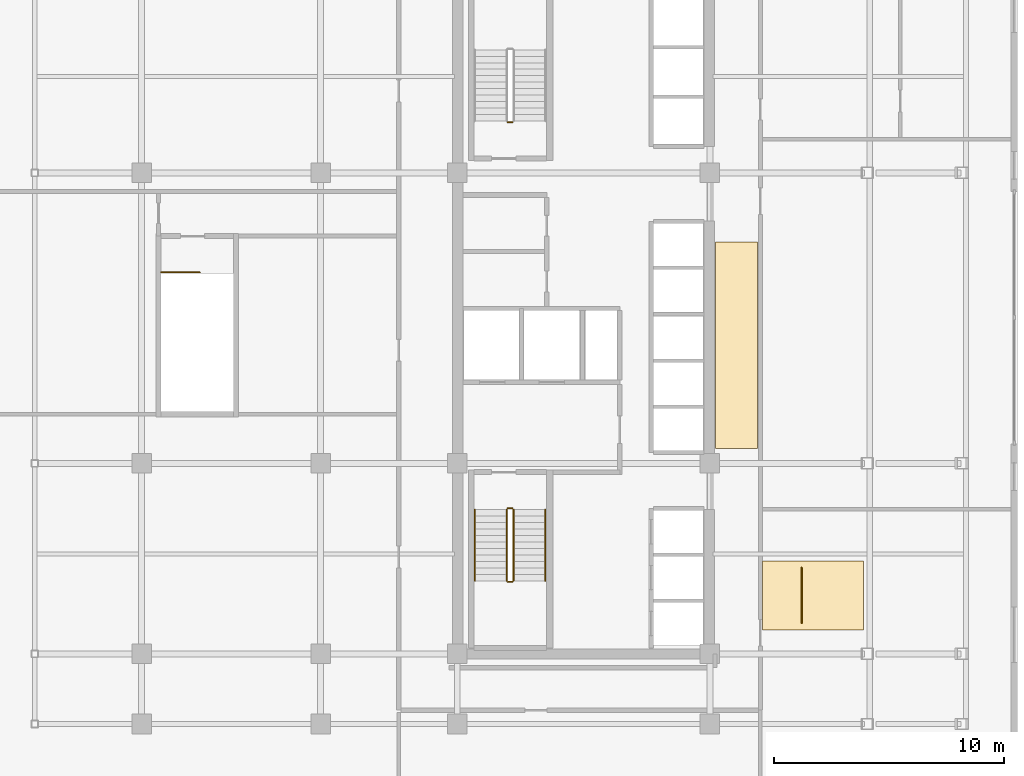
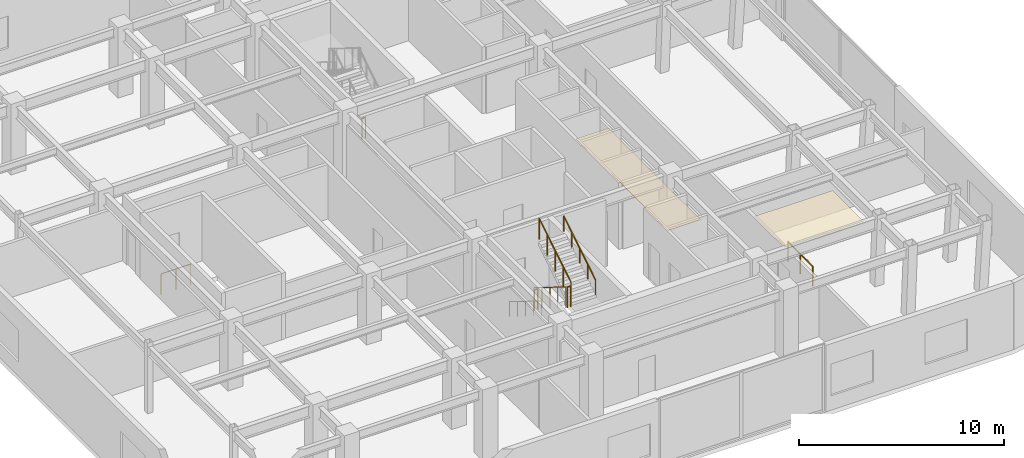
# One storey, part 12 of 13: 9 railings, 2 coverings.
"""IFC4 building model written with IfcOpenShell, lengths in metres."""

from ifc_helpers import new_model, si_unit, direction, frame, origin, origin_2d, place, context, subcontext, project, spatial, polyline, circle, outline, extrude, material, layer, layer_set, type_object, element, save


model = new_model("IFC4")

# Units and contexts
model_context = context("Model", 3, precision=1e-05, world=origin(), true_north=direction((0.0, 1.0)))
body_context = subcontext(model_context, "Body", "Model", "MODEL_VIEW")
ifc_project = project(units=[si_unit("LENGTHUNIT", "METRE"), si_unit("AREAUNIT", "SQUARE_METRE"), si_unit("VOLUMEUNIT", "CUBIC_METRE"), si_unit("PLANEANGLEUNIT", "RADIAN"), si_unit("MASSUNIT", "GRAM", prefix="KILO")], contexts=[model_context])

# Site, building, storey
site_placement = place(None, origin())
site = spatial("IfcSite", under=ifc_project, at=site_placement, CompositionType="ELEMENT")
building_placement = place(site_placement, origin())
building = spatial("IfcBuilding", under=site, at=building_placement, Name="Ochreholt Gables", CompositionType="ELEMENT")
storey_placement = place(building_placement, frame((0.0, 0.0, 60.0)))
storey = spatial("IfcBuildingStorey", under=building, at=storey_placement, Name="L15", CompositionType="ELEMENT", Elevation=60.0)

# Coverings
ifc_material_1 = material(Name="Mineral Fibre Acoustic Ceiling Tile", Category="gypsum")
ifc_layer_1 = layer(ifc_material_1, 0.034912109375, Name="Mineral Fibre Acoustic Ceiling Tile")
ifc_layer_set_1 = layer_set([ifc_layer_1], Name="Mineral Fibre Acoustic Ceiling Tile")
covering_type_1 = type_object("IfcCoveringType", Name="COV-CEIL-AC", PredefinedType="CEILING", material=ifc_layer_set_1)
covering_1_placement = place(storey_placement, frame((0.0, 0.0, 3.080078125)))
element("IfcCovering", 1, at=covering_1_placement, inside=storey, type_object=covering_type_1, Name="L15 Suspended Acoustic Ceiling", PredefinedType="CEILING", context=body_context, shape_type="SweptSolid", body=[
    extrude(outline(polyline([(37.489990234375, 10.300048828125), (41.889892578125, 10.300048828125), (41.889892578125, 13.300048828125), (37.489990234375, 13.300048828125), (37.489990234375, 10.300048828125)])), origin(), (0.0, 0.0, 1.0), 0.034912109375),
])
ifc_material_2 = material(Name="Acoustic Resilient Timber Flooring", Category="wood")
ifc_layer_2 = layer(ifc_material_2, 0.02001953125, Name="Acoustic Resilient Timber Flooring")
ifc_layer_set_2 = layer_set([ifc_layer_2], Name="Acoustic Resilient Timber Flooring")
covering_type_2 = type_object("IfcCoveringType", Name="COV-FLR-RES", PredefinedType="FLOORING", material=ifc_layer_set_2)
covering_2_placement = place(storey_placement, origin())
element("IfcCovering", 2, at=covering_2_placement, inside=storey, type_object=covering_type_2, Name="L15 Floor Finish", PredefinedType="FLOORING", context=body_context, shape_type="SweptSolid", body=[
    extrude(outline(polyline([(35.449951171875, 18.199951171875), (37.280029296875, 18.199951171875), (37.280029296875, 27.199951171875), (35.449951171875, 27.199951171875), (35.449951171875, 18.199951171875)])), origin(), (0.0, 0.0, 1.0), 0.02001953125),
])

# Railings
ifc_material_3 = material(Name="Laminated Glass and Bronze Interior Balustrade", Category="glass")
railing_type_1 = type_object("IfcRailingType", Name="RL-INT-BAL", PredefinedType="BALUSTRADE", material=ifc_material_3)
railing_1_placement = place(storey_placement, frame((39.199951171875, 10.60009765625, 0.0)))
element("IfcRailing", 3, at=railing_1_placement, inside=storey, type_object=railing_type_1, Name="L15 Gallery Balustrade", PredefinedType="BALUSTRADE", context=body_context, shape_type="SweptSolid", body=[
    extrude(circle(Radius=0.02392578125, at=origin_2d()), frame((0.0, 0.0, 1.17578125), z_axis=(0.0, 1.0, 0.0), x_axis=(-1.0, 0.0, 0.0)), (0.0, 0.0, 1.0), 2.39990234375),
    extrude(circle(Radius=0.02099609375, at=origin_2d()), origin(), (0.0, 0.0, 1.0), 1.15185546875),
    extrude(circle(Radius=0.02099609375, at=origin_2d()), frame((0.0, 1.199951171875, 0.0)), (0.0, 0.0, 1.0), 1.15185546875),
    extrude(circle(Radius=0.02099609375, at=origin_2d()), frame((0.0, 2.39990234375, 0.0)), (0.0, 0.0, 1.0), 1.15185546875),
])
ifc_material_4 = material(Name="Painted Steel Stair Guardrail", Category="steel")
railing_type_2 = type_object("IfcRailingType", Name="RL-ST-GUARD", PredefinedType="GUARDRAIL", material=ifc_material_4)
railing_2_placement = place(storey_placement, frame((26.35009765625, 15.5400390625, 0.175048828125)))
element("IfcRailing", 4, at=railing_2_placement, inside=storey, type_object=railing_type_2, Name="L15 ST-1 stair guard 1", PredefinedType="GUARDRAIL", context=body_context, shape_type="SweptSolid", body=[
    extrude(circle(Radius=0.02392578125, at=origin_2d()), frame((0.0, 0.0, 1.22607421875), z_axis=(0.0, -0.849684591916, 0.527291280281), x_axis=(1.0, 0.0, 0.0)), (0.0, 0.0, 1.0), 3.65087890625),
    extrude(circle(Radius=0.02099609375, at=origin_2d()), origin(), (0.0, 0.0, 1.0), 1.201904296875),
    extrude(circle(Radius=0.02099609375, at=origin_2d()), frame((0.0, -0.775390625, 0.481201171875)), (0.0, 0.0, 1.0), 1.201904296875),
    extrude(circle(Radius=0.02099609375, at=origin_2d()), frame((0.0, -1.551025390625, 0.96240234375)), (0.0, 0.0, 1.0), 1.201904296875),
    extrude(circle(Radius=0.02099609375, at=origin_2d()), frame((0.0, -2.32666015625, 1.44384765625)), (0.0, 0.0, 1.0), 1.201904296875),
    extrude(circle(Radius=0.02099609375, at=origin_2d()), frame((0.0, -3.10205078125, 1.925048828125)), (0.0, 0.0, 1.0), 1.201904296875),
])
railing_3_placement = place(storey_placement, frame((26.39990234375, 12.387939453125, 2.10009765625)))
element("IfcRailing", 5, at=railing_3_placement, inside=storey, type_object=railing_type_2, Name="L15 ST-1 stair guard 2", PredefinedType="GUARDRAIL", context=body_context, shape_type="SweptSolid", body=[
    extrude(circle(Radius=0.02392578125, at=origin_2d()), frame((0.0, 0.0, 1.22607421875), z_axis=(1.0, 0.0, 0.0), x_axis=(0.0, 1.0, 0.0)), (0.0, 0.0, 1.0), 0.2001953125),
    extrude(circle(Radius=0.02099609375, at=origin_2d()), origin(), (0.0, 0.0, 1.0), 1.201904296875),
    extrude(circle(Radius=0.02099609375, at=origin_2d()), frame((0.2001953125, 0.0, 0.0)), (0.0, 0.0, 1.0), 1.201904296875),
])
railing_4_placement = place(storey_placement, frame((26.64990234375, 12.43798828125, 2.27490234375)))
element("IfcRailing", 6, at=railing_4_placement, inside=storey, type_object=railing_type_2, Name="L15 ST-1 stair guard 3", PredefinedType="GUARDRAIL", context=body_context, shape_type="SweptSolid", body=[
    extrude(circle(Radius=0.02392578125, at=origin_2d()), frame((0.0, 0.0, 1.22607421875), z_axis=(0.0, 0.849684591916, 0.527291280281), x_axis=(-1.0, 0.0, 0.0)), (0.0, 0.0, 1.0), 3.65087890625),
    extrude(circle(Radius=0.02099609375, at=origin_2d()), origin(), (0.0, 0.0, 1.0), 1.201904296875),
    extrude(circle(Radius=0.02099609375, at=origin_2d()), frame((0.0, 0.775390625, 0.481201171875)), (0.0, 0.0, 1.0), 1.201904296875),
    extrude(circle(Radius=0.02099609375, at=origin_2d()), frame((0.0, 1.551025390625, 0.96240234375)), (0.0, 0.0, 1.0), 1.201904296875),
    extrude(circle(Radius=0.02099609375, at=origin_2d()), frame((0.0, 2.32666015625, 1.44384765625)), (0.0, 0.0, 1.0), 1.201904296875),
    extrude(circle(Radius=0.02099609375, at=origin_2d()), frame((0.0, 3.10205078125, 1.925048828125)), (0.0, 0.0, 1.0), 1.201904296875),
])
railing_5_placement = place(storey_placement, frame((26.39990234375, 15.590087890625, 0.0)))
element("IfcRailing", 7, at=railing_5_placement, inside=storey, type_object=railing_type_2, Name="L15 ST-1 stair guard 4", PredefinedType="GUARDRAIL", context=body_context, shape_type="SweptSolid", body=[
    extrude(circle(Radius=0.02392578125, at=origin_2d()), frame((0.0, 0.0, 1.22607421875), z_axis=(1.0, 0.0, 0.0), x_axis=(0.0, 1.0, 0.0)), (0.0, 0.0, 1.0), 0.2001953125),
    extrude(circle(Radius=0.02099609375, at=origin_2d()), origin(), (0.0, 0.0, 1.0), 1.201904296875),
    extrude(circle(Radius=0.02099609375, at=origin_2d()), frame((0.2001953125, 0.0, 0.0)), (0.0, 0.0, 1.0), 1.201904296875),
])
railing_6_placement = place(storey_placement, frame((26.60009765625, 32.409912109375, 0.0)))
element("IfcRailing", 8, at=railing_6_placement, inside=storey, type_object=railing_type_2, Name="L15 ST-2 stair guard 4", PredefinedType="GUARDRAIL", context=body_context, shape_type="SweptSolid", body=[
    extrude(circle(Radius=0.02392578125, at=origin_2d()), frame((0.0, 0.0, 1.22607421875), z_axis=(-1.0, 0.0, 0.0), x_axis=(0.0, -1.0, 0.0)), (0.0, 0.0, 1.0), 0.2001953125),
    extrude(circle(Radius=0.02099609375, at=origin_2d()), origin(), (0.0, 0.0, 1.0), 1.201904296875),
    extrude(circle(Radius=0.02099609375, at=origin_2d()), frame((-0.2001953125, 0.0, 0.0)), (0.0, 0.0, 1.0), 1.201904296875),
])
railing_7_placement = place(storey_placement, frame((11.300048828125, 25.8701171875, 0.0)))
element("IfcRailing", 9, at=railing_7_placement, inside=storey, type_object=railing_type_2, Name="L15 ST-C1 top well guard 1", PredefinedType="GUARDRAIL", context=body_context, shape_type="SweptSolid", body=[
    extrude(circle(Radius=0.02392578125, at=origin_2d()), frame((0.0, 0.0, 1.22607421875), z_axis=(1.0, 0.0, 0.0), x_axis=(0.0, 1.0, 0.0)), (0.0, 0.0, 1.0), 1.679931640625),
    extrude(circle(Radius=0.02099609375, at=origin_2d()), origin(), (0.0, 0.0, 1.0), 1.201904296875),
    extrude(circle(Radius=0.02099609375, at=origin_2d()), frame((0.83984375, 0.0, 0.0)), (0.0, 0.0, 1.0), 1.201904296875),
    extrude(circle(Radius=0.02099609375, at=origin_2d()), frame((1.679931640625, 0.0, 0.0)), (0.0, 0.0, 1.0), 1.201904296875),
])
ifc_material_5 = material(Name="Brushed Stainless Steel Wall Handrail", Category="steel")
railing_type_3 = type_object("IfcRailingType", Name="RL-ST-HAND", PredefinedType="HANDRAIL", material=ifc_material_5)
railing_8_placement = place(storey_placement, frame((24.969970703125, 15.5400390625, 0.175048828125)))
element("IfcRailing", 10, at=railing_8_placement, inside=storey, type_object=railing_type_3, Name="L15 ST-1 stair handrail 1", PredefinedType="HANDRAIL", context=body_context, shape_type="SweptSolid", body=[
    extrude(circle(Radius=0.02392578125, at=origin_2d()), frame((0.0, 0.0, 0.8759765625), z_axis=(0.0, -0.849684591916, 0.527291280281), x_axis=(1.0, 0.0, 0.0)), (0.0, 0.0, 1.0), 3.65087890625),
    extrude(circle(Radius=0.02099609375, at=origin_2d()), origin(), (0.0, 0.0, 1.0), 0.851806640625),
    extrude(circle(Radius=0.02099609375, at=origin_2d()), frame((0.0, -0.775390625, 0.481201171875)), (0.0, 0.0, 1.0), 0.851806640625),
    extrude(circle(Radius=0.02099609375, at=origin_2d()), frame((0.0, -1.551025390625, 0.96240234375)), (0.0, 0.0, 1.0), 0.851806640625),
    extrude(circle(Radius=0.02099609375, at=origin_2d()), frame((0.0, -2.32666015625, 1.44384765625)), (0.0, 0.0, 1.0), 0.851806640625),
    extrude(circle(Radius=0.02099609375, at=origin_2d()), frame((0.0, -3.10205078125, 1.925048828125)), (0.0, 0.0, 1.0), 0.851806640625),
])
railing_9_placement = place(storey_placement, frame((28.030029296875, 12.43798828125, 2.27490234375)))
element("IfcRailing", 11, at=railing_9_placement, inside=storey, type_object=railing_type_3, Name="L15 ST-1 stair handrail 2", PredefinedType="HANDRAIL", context=body_context, shape_type="SweptSolid", body=[
    extrude(circle(Radius=0.02392578125, at=origin_2d()), frame((0.0, 0.0, 0.8759765625), z_axis=(0.0, 0.849684591916, 0.527291280281), x_axis=(-1.0, 0.0, 0.0)), (0.0, 0.0, 1.0), 3.65087890625),
    extrude(circle(Radius=0.02099609375, at=origin_2d()), origin(), (0.0, 0.0, 1.0), 0.851806640625),
    extrude(circle(Radius=0.02099609375, at=origin_2d()), frame((0.0, 0.775390625, 0.481201171875)), (0.0, 0.0, 1.0), 0.851806640625),
    extrude(circle(Radius=0.02099609375, at=origin_2d()), frame((0.0, 1.551025390625, 0.96240234375)), (0.0, 0.0, 1.0), 0.851806640625),
    extrude(circle(Radius=0.02099609375, at=origin_2d()), frame((0.0, 2.32666015625, 1.44384765625)), (0.0, 0.0, 1.0), 0.851806640625),
    extrude(circle(Radius=0.02099609375, at=origin_2d()), frame((0.0, 3.10205078125, 1.925048828125)), (0.0, 0.0, 1.0), 0.851806640625),
])

save(model, "model.ifc")
